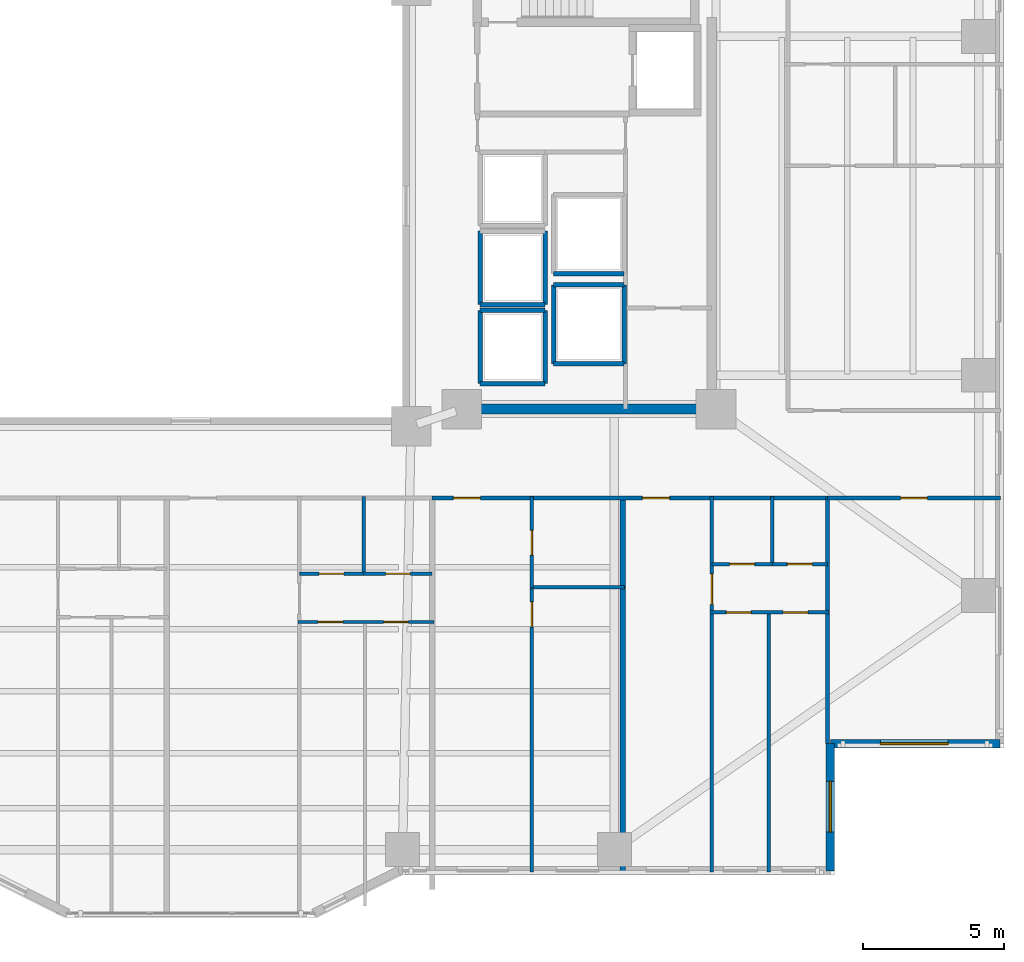
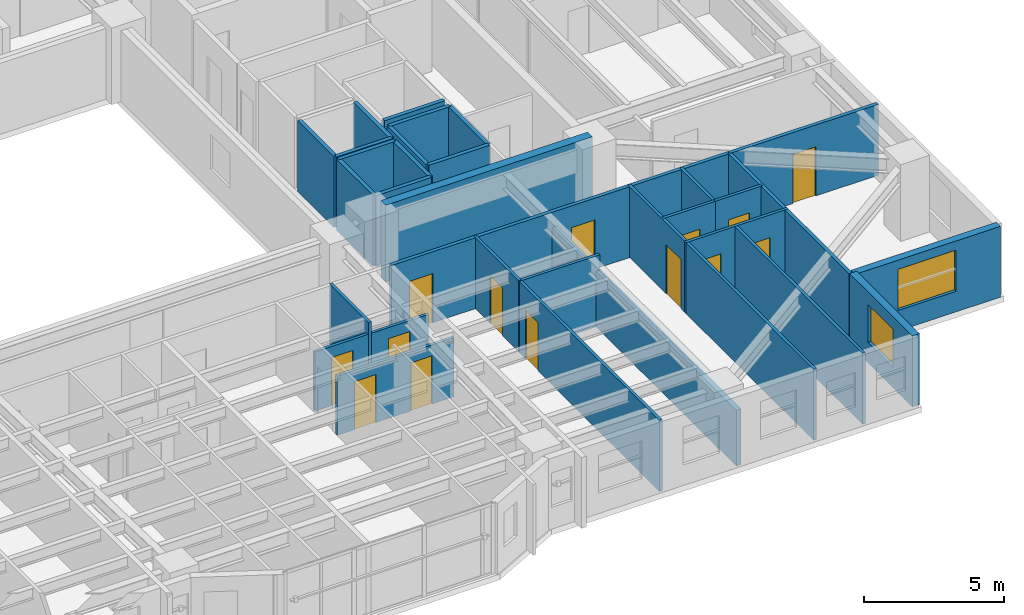
# One storey, part 12 of 21: 32 walls, 14 doors, 2 windows, 16 openings.
"""IFC4 building model written with IfcOpenShell, lengths in metres."""

from ifc_helpers import new_model, si_unit, direction, frame, frame_2d, origin, place, context, subcontext, project, spatial, rectangle, extrude, material, layer, layer_set, type_object, element, fill, save


model = new_model("IFC4")

# Units and contexts
model_context = context("Model", 3, precision=1e-05, world=origin(), true_north=direction((0.0, 1.0)))
body_context = subcontext(model_context, "Body", "Model", "MODEL_VIEW")
ifc_project = project(units=[si_unit("LENGTHUNIT", "METRE"), si_unit("AREAUNIT", "SQUARE_METRE"), si_unit("VOLUMEUNIT", "CUBIC_METRE"), si_unit("PLANEANGLEUNIT", "RADIAN"), si_unit("MASSUNIT", "GRAM", prefix="KILO")], contexts=[model_context])

# Site, building, storey
site_placement = place(None, origin())
site = spatial("IfcSite", under=ifc_project, at=site_placement, CompositionType="ELEMENT")
building_placement = place(site_placement, origin())
building = spatial("IfcBuilding", under=site, at=building_placement, Name="Tarnavaz Court Tower", CompositionType="ELEMENT")
storey_placement = place(building_placement, frame((0.0, 0.0, 47.449951171875)))
storey = spatial("IfcBuildingStorey", under=building, at=storey_placement, Name="L12", CompositionType="ELEMENT", Elevation=47.449951171875)

# Wall
ifc_material_1 = material(Name="Concrete C60/75", Category="concrete")
ifc_layer_1 = layer(ifc_material_1, 0.35009765625)
ifc_layer_set_1 = layer_set([ifc_layer_1], Name="Concrete C60/75")
wall_type_1 = type_object("IfcWallType", Name="WL-CORE-350-C60", PredefinedType="SHEAR", material=ifc_layer_set_1)
wall_1_placement = place(storey_placement, frame((10.074951171875, -7.199951171875, 0.0), z_axis=(0.0, 0.0, 1.0), x_axis=(1.0, 0.0, 0.0)))
element("IfcWall", 1, at=wall_1_placement, inside=storey, type_object=wall_type_1, Name="L12 East Core South Shear Wall 072", PredefinedType="SHEAR", context=body_context, shape_type="SweptSolid", body=[
    extrude(rectangle(XDim=8.550048828125, YDim=0.35009765625, at=frame_2d((4.27490234375, 0.0))), origin(), (0.0, 0.0, 1.0), 3.35009765625),
])

# Wall, opening, window
ifc_material_2 = material(Name="Precast Concrete C40/50", Category="concrete")
ifc_layer_2 = layer(ifc_material_2, 0.300048828125)
ifc_layer_set_2 = layer_set([ifc_layer_2], Name="Precast Concrete C40/50")
wall_type_2 = type_object("IfcWallType", Name="WL-EXT-300", PredefinedType="SOLIDWALL", material=ifc_layer_set_2)
wall_2_placement = place(storey_placement, frame((28.64990234375, -19.050048828125, 0.0), z_axis=(0.0, 0.0, 1.0), x_axis=(-1.0, 0.0, 0.0)))
wall_2 = element("IfcWall", 2, at=wall_2_placement, inside=storey, type_object=wall_type_2, Name="L12 Exterior Terracotta Facade Wall 13", PredefinedType="SOLIDWALL", context=body_context, shape_type="SweptSolid", body=[
    extrude(rectangle(XDim=6.0, YDim=0.300048828125, at=frame_2d((3.0, 0.0))), origin(), (0.0, 0.0, 1.0), 3.10009765625),
])
opening_1_placement = place(wall_2_placement, frame((1.824951171875, 0.0, 0.89990234375)))
opening_1 = element("IfcOpeningElement", 3, at=opening_1_placement, cuts=wall_2, Name="Opening W06", PredefinedType="OPENING", context=body_context, shape_type="SweptSolid", body=[
    extrude(rectangle(XDim=2.39990234375, YDim=1.800048828125, at=frame_2d((1.199951171875, 0.89990234375))), frame((0.0, 0.159912109375, 0.0), z_axis=(0.0, -1.0, 0.0), x_axis=(1.0, 0.0, 0.0)), (0.0, 0.0, 1.0), 0.320068359375),
])
ifc_material_3 = material(Name="Double-Glazed Solar Low-E Glass", Category="glass")
window_type_1 = type_object("IfcWindowType", Name="WN-APT-2400", PartitioningType="TRIPLE_PANEL_VERTICAL", PredefinedType="WINDOW", material=ifc_material_3)
window_1_placement = place(opening_1_placement, origin())
window_1 = element("IfcWindow", 4, at=window_1_placement, inside=storey, type_object=window_type_1, Name="L12 South-East Corner Reading Room Window", OverallHeight=1.800048828125, OverallWidth=2.39990234375, PartitioningType="SINGLE_PANEL", PredefinedType="WINDOW", context=body_context, shape_type="SweptSolid", body=[
    extrude(rectangle(XDim=2.39990234375, YDim=1.800048828125, at=frame_2d((1.199951171875, 0.89990234375))), frame((0.0, 0.030029296875, 0.0), z_axis=(0.0, -1.0, 0.0), x_axis=(1.0, 0.0, 0.0)), (0.0, 0.0, 1.0), 0.06005859375),
])
fill(opening_1, window_1)

wall_3_placement = place(storey_placement, frame((22.64990234375, -19.050048828125, 0.0), z_axis=(0.0, 0.0, 1.0), x_axis=(0.0, -1.0, 0.0)))
wall_3 = element("IfcWall", 5, at=wall_3_placement, inside=storey, type_object=wall_type_2, Name="L12 Exterior Terracotta Facade Wall 14", PredefinedType="SOLIDWALL", context=body_context, shape_type="SweptSolid", body=[
    extrude(rectangle(XDim=4.5, YDim=0.300048828125, at=frame_2d((2.25, 0.0))), origin(), (0.0, 0.0, 1.0), 3.10009765625),
])
opening_2_placement = place(wall_3_placement, frame((1.33251953125, 0.0, 0.89990234375)))
opening_2 = element("IfcOpeningElement", 6, at=opening_2_placement, cuts=wall_3, Name="Opening W01", PredefinedType="OPENING", context=body_context, shape_type="SweptSolid", body=[
    extrude(rectangle(XDim=1.800048828125, YDim=1.64990234375, at=frame_2d((0.89990234375, 0.824951171875))), frame((0.0, 0.159912109375, 0.0), z_axis=(0.0, -1.0, 0.0), x_axis=(1.0, 0.0, 0.0)), (0.0, 0.0, 1.0), 0.320068359375),
])
window_type_2 = type_object("IfcWindowType", Name="WN-APT-1800", PartitioningType="DOUBLE_PANEL_VERTICAL", PredefinedType="WINDOW", material=ifc_material_3)
window_2_placement = place(opening_2_placement, origin())
window_2 = element("IfcWindow", 7, at=window_2_placement, inside=storey, type_object=window_type_2, Name="L12 Flat 04 Bedroom 2 Window", OverallHeight=1.64990234375, OverallWidth=1.800048828125, PartitioningType="SINGLE_PANEL", PredefinedType="WINDOW", context=body_context, shape_type="SweptSolid", body=[
    extrude(rectangle(XDim=1.800048828125, YDim=1.64990234375, at=frame_2d((0.89990234375, 0.824951171875))), frame((0.0, 0.030029296875, 0.0), z_axis=(0.0, -1.0, 0.0), x_axis=(1.0, 0.0, 0.0)), (0.0, 0.0, 1.0), 0.06005859375),
])
fill(opening_2, window_2)

# Wall, openings, doors
ifc_material_4 = material(Name="Gypsum Fire-Board on Acoustic Metal Stud", Category="masonry")
ifc_layer_3 = layer(ifc_material_4, 0.14990234375)
ifc_layer_set_3 = layer_set([ifc_layer_3], Name="Gypsum Fire-Board on Acoustic Metal Stud")
wall_type_3 = type_object("IfcWallType", Name="WL-FIRE-150", PredefinedType="PARTITIONING", material=ifc_layer_set_3)
wall_4_placement = place(storey_placement, frame((8.550048828125, -10.35009765625, 0.0), z_axis=(0.0, 0.0, 1.0), x_axis=(1.0, 0.0, 0.0)))
wall_4 = element("IfcWall", 8, at=wall_4_placement, inside=storey, type_object=wall_type_3, Name="L12 SE Corridor Wall 086", PredefinedType="PARTITIONING", context=body_context, shape_type="SweptSolid", body=[
    extrude(rectangle(XDim=14.0, YDim=0.14990234375, at=frame_2d((7.0, 0.0))), origin(), (0.0, 0.0, 1.0), 3.10009765625),
])
opening_3_placement = place(wall_4_placement, frame((0.75, 0.0, 0.0)))
opening_3 = element("IfcOpeningElement", 9, at=opening_3_placement, cuts=wall_4, Name="Opening D06", PredefinedType="OPENING", context=body_context, shape_type="SweptSolid", body=[
    extrude(rectangle(XDim=0.9599609375, YDim=2.14990234375, at=frame_2d((0.47998046875, 1.074951171875))), frame((0.0, 0.0849609375, 0.0), z_axis=(0.0, -1.0, 0.0), x_axis=(1.0, 0.0, 0.0)), (0.0, 0.0, 1.0), 0.169921875),
])
opening_4_placement = place(wall_4_placement, frame((7.446044921875, 0.0, 0.0)))
opening_4 = element("IfcOpeningElement", 10, at=opening_4_placement, cuts=wall_4, Name="Opening D06", PredefinedType="OPENING", context=body_context, shape_type="SweptSolid", body=[
    extrude(rectangle(XDim=0.9599609375, YDim=2.14990234375, at=frame_2d((0.47998046875, 1.074951171875))), frame((0.0, 0.0849609375, 0.0), z_axis=(0.0, -1.0, 0.0), x_axis=(1.0, 0.0, 0.0)), (0.0, 0.0, 1.0), 0.169921875),
])
ifc_material_5 = material(Name="Fire-Rated Hardwood Timber Core", Category="wood")
door_type_1 = type_object("IfcDoorType", Name="DR-FD60-950", OperationType="NOTDEFINED", PredefinedType="DOOR", material=ifc_material_5)
door_1_placement = place(opening_3_placement, origin())
door_1 = element("IfcDoor", 11, at=door_1_placement, inside=storey, type_object=door_type_1, Name="L12 Flat 03 Entrance Door", OperationType="SINGLE_SWING_LEFT", OverallHeight=2.14990234375, OverallWidth=0.9599609375, PredefinedType="DOOR", context=body_context, shape_type="SweptSolid", body=[
    extrude(rectangle(XDim=0.9599609375, YDim=2.14990234375, at=frame_2d((0.47998046875, 1.074951171875))), frame((0.0, 0.02490234375, 0.0), z_axis=(0.0, -1.0, 0.0), x_axis=(1.0, 0.0, 0.0)), (0.0, 0.0, 1.0), 0.050048828125),
])
fill(opening_3, door_1)
door_2_placement = place(opening_4_placement, origin())
door_2 = element("IfcDoor", 12, at=door_2_placement, inside=storey, type_object=door_type_1, Name="L12 Flat 04 Entrance Door", OperationType="SINGLE_SWING_RIGHT", OverallHeight=2.14990234375, OverallWidth=0.9599609375, PredefinedType="DOOR", context=body_context, shape_type="SweptSolid", body=[
    extrude(rectangle(XDim=0.9599609375, YDim=2.14990234375, at=frame_2d((0.47998046875, 1.074951171875))), frame((0.0, 0.02490234375, 0.0), z_axis=(0.0, -1.0, 0.0), x_axis=(1.0, 0.0, 0.0)), (0.0, 0.0, 1.0), 0.050048828125),
])
fill(opening_4, door_2)

# Wall, opening, door
wall_5_placement = place(storey_placement, frame((22.550048828125, -10.35009765625, 0.0), z_axis=(0.0, 0.0, 1.0), x_axis=(1.0, 0.0, 0.0)))
wall_5 = element("IfcWall", 13, at=wall_5_placement, inside=storey, type_object=wall_type_3, Name="L12 Interior Partition 139", PredefinedType="PARTITIONING", context=body_context, shape_type="SweptSolid", body=[
    extrude(rectangle(XDim=6.1298828125, YDim=0.14990234375, at=frame_2d((3.06494140625, 0.0))), origin(), (0.0, 0.0, 1.0), 3.10009765625),
])
opening_5_placement = place(wall_5_placement, frame((2.590087890625, 0.0, 0.0)))
opening_5 = element("IfcOpeningElement", 14, at=opening_5_placement, cuts=wall_5, Name="Opening D13", PredefinedType="OPENING", context=body_context, shape_type="SweptSolid", body=[
    extrude(rectangle(XDim=0.949951171875, YDim=2.14990234375, at=frame_2d((0.47509765625, 1.074951171875))), frame((0.0, 0.0849609375, 0.0), z_axis=(0.0, -1.0, 0.0), x_axis=(1.0, 0.0, 0.0)), (0.0, 0.0, 1.0), 0.169921875),
])
ifc_material_6 = material(Name="Engineered Oak Timber", Category="wood")
door_type_2 = type_object("IfcDoorType", Name="DR-INT-950", OperationType="NOTDEFINED", PredefinedType="DOOR", material=ifc_material_6)
door_3_placement = place(opening_5_placement, origin())
door_3 = element("IfcDoor", 15, at=door_3_placement, inside=storey, type_object=door_type_2, Name="L12 SE Reading Room Door", OperationType="SINGLE_SWING_LEFT", OverallHeight=2.14990234375, OverallWidth=0.949951171875, PredefinedType="DOOR", context=body_context, shape_type="SweptSolid", body=[
    extrude(rectangle(XDim=0.949951171875, YDim=2.14990234375, at=frame_2d((0.47509765625, 1.074951171875))), frame((0.0, 0.02490234375, 0.0), z_axis=(0.0, -1.0, 0.0), x_axis=(1.0, 0.0, 0.0)), (0.0, 0.0, 1.0), 0.050048828125),
])
fill(opening_5, door_3)

# Wall
ifc_material_7 = material(Name="Autoclaved Aerated Concrete Blockwork", Category="masonry")
ifc_layer_4 = layer(ifc_material_7, 0.199951171875)
ifc_layer_set_4 = layer_set([ifc_layer_4], Name="Autoclaved Aerated Concrete Blockwork")
wall_type_4 = type_object("IfcWallType", Name="WL-FIRE-200", PredefinedType="SOLIDWALL", material=ifc_layer_set_4)
wall_6_placement = place(storey_placement, frame((15.2958984375, -23.60009765625, 0.0), z_axis=(0.0, 0.0, 1.0), x_axis=(0.0, 1.0, 0.0)))
element("IfcWall", 16, at=wall_6_placement, inside=storey, type_object=wall_type_4, Name="L12 Party Wall 103", PredefinedType="SOLIDWALL", context=body_context, shape_type="SweptSolid", body=[
    extrude(rectangle(XDim=13.25, YDim=0.199951171875, at=frame_2d((6.625, 0.0))), origin(), (0.0, 0.0, 1.0), 2.43505859375),
])

# Wall, opening, door
ifc_material_8 = material(Name="Moisture-Resistant Gypsum Board Partition", Category="masonry")
ifc_layer_5 = layer(ifc_material_8, 0.1201171875)
ifc_layer_set_5 = layer_set([ifc_layer_5], Name="Moisture-Resistant Gypsum Board Partition")
wall_type_5 = type_object("IfcWallType", Name="WL-PART-120", PredefinedType="PARTITIONING", material=ifc_layer_set_5)
wall_7_placement = place(storey_placement, frame((12.080078125, -23.60009765625, 0.0), z_axis=(0.0, 0.0, 1.0), x_axis=(0.0, 1.0, 0.0)))
wall_7 = element("IfcWall", 17, at=wall_7_placement, inside=storey, type_object=wall_type_5, Name="L12 Interior Partition 104", PredefinedType="PARTITIONING", context=body_context, shape_type="SweptSolid", body=[
    extrude(rectangle(XDim=10.090087890625, YDim=0.1201171875, at=frame_2d((5.044921875, 0.0))), origin(), (0.0, 0.0, 1.0), 3.10009765625),
])
opening_6_placement = place(wall_7_placement, frame((8.68994140625, 0.0, 0.0)))
opening_6 = element("IfcOpeningElement", 18, at=opening_6_placement, cuts=wall_7, Name="Opening D14", PredefinedType="OPENING", context=body_context, shape_type="SweptSolid", body=[
    extrude(rectangle(XDim=0.8798828125, YDim=2.10009765625, at=frame_2d((0.43994140625, 1.050048828125))), frame((0.0, 0.070068359375, 0.0), z_axis=(0.0, -1.0, 0.0), x_axis=(1.0, 0.0, 0.0)), (0.0, 0.0, 1.0), 0.14013671875),
])
door_type_3 = type_object("IfcDoorType", Name="DR-INT-900", OperationType="NOTDEFINED", PredefinedType="DOOR", material=ifc_material_6)
door_4_placement = place(opening_6_placement, origin())
door_4 = element("IfcDoor", 19, at=door_4_placement, inside=storey, type_object=door_type_3, Name="L12 Flat 03 Kitchen Door", OperationType="SINGLE_SWING_RIGHT", OverallHeight=2.10009765625, OverallWidth=0.8798828125, PredefinedType="DOOR", context=body_context, shape_type="SweptSolid", body=[
    extrude(rectangle(XDim=0.8798828125, YDim=2.10009765625, at=frame_2d((0.43994140625, 1.050048828125))), frame((0.0, 0.02490234375, 0.0), z_axis=(0.0, -1.0, 0.0), x_axis=(1.0, 0.0, 0.0)), (0.0, 0.0, 1.0), 0.050048828125),
])
fill(opening_6, door_4)

wall_8_placement = place(storey_placement, frame((12.080078125, -13.510009765625, 0.0), z_axis=(0.0, 0.0, 1.0), x_axis=(0.0, 1.0, 0.0)))
wall_8 = element("IfcWall", 20, at=wall_8_placement, inside=storey, type_object=wall_type_5, Name="L12 Interior Partition 105", PredefinedType="PARTITIONING", context=body_context, shape_type="SweptSolid", body=[
    extrude(rectangle(XDim=3.219970703125, YDim=0.1201171875, at=frame_2d((1.60986328125, 0.0))), origin(), (0.0, 0.0, 1.0), 3.10009765625),
])
opening_7_placement = place(wall_8_placement, frame((1.139892578125, 0.0, 0.0)))
opening_7 = element("IfcOpeningElement", 21, at=opening_7_placement, cuts=wall_8, Name="Opening D14", PredefinedType="OPENING", context=body_context, shape_type="SweptSolid", body=[
    extrude(rectangle(XDim=0.8798828125, YDim=2.10009765625, at=frame_2d((0.43994140625, 1.050048828125))), frame((0.0, 0.070068359375, 0.0), z_axis=(0.0, -1.0, 0.0), x_axis=(1.0, 0.0, 0.0)), (0.0, 0.0, 1.0), 0.14013671875),
])
door_5_placement = place(opening_7_placement, origin())
door_5 = element("IfcDoor", 22, at=door_5_placement, inside=storey, type_object=door_type_3, Name="L12 Flat 03 Bathroom Door", OperationType="SINGLE_SWING_LEFT", OverallHeight=2.10009765625, OverallWidth=0.8798828125, PredefinedType="DOOR", context=body_context, shape_type="SweptSolid", body=[
    extrude(rectangle(XDim=0.8798828125, YDim=2.10009765625, at=frame_2d((0.43994140625, 1.050048828125))), frame((0.0, 0.02490234375, 0.0), z_axis=(0.0, -1.0, 0.0), x_axis=(1.0, 0.0, 0.0)), (0.0, 0.0, 1.0), 0.050048828125),
])
fill(opening_7, door_5)

# Wall
wall_9_placement = place(storey_placement, frame((12.02001953125, -13.510009765625, 0.0), z_axis=(0.0, 0.0, 1.0), x_axis=(1.0, 0.0, 0.0)))
element("IfcWall", 23, at=wall_9_placement, inside=storey, type_object=wall_type_5, Name="L12 Interior Partition 106", PredefinedType="PARTITIONING", context=body_context, shape_type="SweptSolid", body=[
    extrude(rectangle(XDim=3.3359375, YDim=0.1201171875, at=frame_2d((1.66796875, 0.0))), origin(), (0.0, 0.0, 1.0), 3.10009765625),
])

# Wall, opening, door
wall_10_placement = place(storey_placement, frame((18.4560546875, -23.60009765625, 0.0), z_axis=(0.0, 0.0, 1.0), x_axis=(0.0, 1.0, 0.0)))
wall_10 = element("IfcWall", 24, at=wall_10_placement, inside=storey, type_object=wall_type_5, Name="L12 Interior Partition 107", PredefinedType="PARTITIONING", context=body_context, shape_type="SweptSolid", body=[
    extrude(rectangle(XDim=13.31005859375, YDim=0.1201171875, at=frame_2d((6.655029296875, 0.0))), origin(), (0.0, 0.0, 1.0), 3.10009765625),
])
opening_8_placement = place(wall_10_placement, frame((9.485107421875, 0.0, 0.0)))
opening_8 = element("IfcOpeningElement", 25, at=opening_8_placement, cuts=wall_10, Name="Opening D12", PredefinedType="OPENING", context=body_context, shape_type="SweptSolid", body=[
    extrude(rectangle(XDim=1.080078125, YDim=2.14990234375, at=frame_2d((0.5400390625, 1.074951171875))), frame((0.0, 0.070068359375, 0.0), z_axis=(0.0, -1.0, 0.0), x_axis=(1.0, 0.0, 0.0)), (0.0, 0.0, 1.0), 0.14013671875),
])
door_type_4 = type_object("IfcDoorType", Name="DR-INT-1100", OperationType="NOTDEFINED", PredefinedType="DOOR", material=ifc_material_6)
door_6_placement = place(opening_8_placement, origin())
door_6 = element("IfcDoor", 26, at=door_6_placement, inside=storey, type_object=door_type_4, Name="L12 Flat 04 Foyer Door", OperationType="SINGLE_SWING_LEFT", OverallHeight=2.14990234375, OverallWidth=1.080078125, PredefinedType="DOOR", context=body_context, shape_type="SweptSolid", body=[
    extrude(rectangle(XDim=1.080078125, YDim=2.14990234375, at=frame_2d((0.5400390625, 1.074951171875))), frame((0.0, 0.02490234375, 0.0), z_axis=(0.0, -1.0, 0.0), x_axis=(1.0, 0.0, 0.0)), (0.0, 0.0, 1.0), 0.050048828125),
])
fill(opening_8, door_6)

wall_11_placement = place(storey_placement, frame((18.4560546875, -12.68994140625, 0.0), z_axis=(0.0, 0.0, 1.0), x_axis=(1.0, 0.0, 0.0)))
wall_11 = element("IfcWall", 27, at=wall_11_placement, inside=storey, type_object=wall_type_5, Name="L12 Interior Partition 108", PredefinedType="PARTITIONING", context=body_context, shape_type="SweptSolid", body=[
    extrude(rectangle(XDim=2.137939453125, YDim=0.1201171875, at=frame_2d((1.06884765625, 0.0))), origin(), (0.0, 0.0, 1.0), 3.10009765625),
])
opening_9_placement = place(wall_11_placement, frame((0.62890625, 0.0, 0.0)))
opening_9 = element("IfcOpeningElement", 28, at=opening_9_placement, cuts=wall_11, Name="Opening D14", PredefinedType="OPENING", context=body_context, shape_type="SweptSolid", body=[
    extrude(rectangle(XDim=0.8798828125, YDim=2.10009765625, at=frame_2d((0.43994140625, 1.050048828125))), frame((0.0, 0.070068359375, 0.0), z_axis=(0.0, -1.0, 0.0), x_axis=(1.0, 0.0, 0.0)), (0.0, 0.0, 1.0), 0.14013671875),
])
door_7_placement = place(opening_9_placement, origin())
door_7 = element("IfcDoor", 29, at=door_7_placement, inside=storey, type_object=door_type_3, Name="L12 Flat 04 Kitchen Door", OperationType="SINGLE_SWING_RIGHT", OverallHeight=2.10009765625, OverallWidth=0.8798828125, PredefinedType="DOOR", context=body_context, shape_type="SweptSolid", body=[
    extrude(rectangle(XDim=0.8798828125, YDim=2.10009765625, at=frame_2d((0.43994140625, 1.050048828125))), frame((0.0, 0.02490234375, 0.0), z_axis=(0.0, -1.0, 0.0), x_axis=(1.0, 0.0, 0.0)), (0.0, 0.0, 1.0), 0.050048828125),
])
fill(opening_9, door_7)

wall_12_placement = place(storey_placement, frame((20.593994140625, -12.68994140625, 0.0), z_axis=(0.0, 0.0, 1.0), x_axis=(1.0, 0.0, 0.0)))
wall_12 = element("IfcWall", 30, at=wall_12_placement, inside=storey, type_object=wall_type_5, Name="L12 Interior Partition 109", PredefinedType="PARTITIONING", context=body_context, shape_type="SweptSolid", body=[
    extrude(rectangle(XDim=1.9560546875, YDim=0.1201171875, at=frame_2d((0.97802734375, 0.0))), origin(), (0.0, 0.0, 1.0), 3.10009765625),
])
opening_10_placement = place(wall_12_placement, frame((0.5380859375, 0.0, 0.0)))
opening_10 = element("IfcOpeningElement", 31, at=opening_10_placement, cuts=wall_12, Name="Opening D14", PredefinedType="OPENING", context=body_context, shape_type="SweptSolid", body=[
    extrude(rectangle(XDim=0.8798828125, YDim=2.10009765625, at=frame_2d((0.43994140625, 1.050048828125))), frame((0.0, 0.070068359375, 0.0), z_axis=(0.0, -1.0, 0.0), x_axis=(1.0, 0.0, 0.0)), (0.0, 0.0, 1.0), 0.14013671875),
])
door_8_placement = place(opening_10_placement, origin())
door_8 = element("IfcDoor", 32, at=door_8_placement, inside=storey, type_object=door_type_3, Name="L12 Flat 04 Bathroom Door", OperationType="SINGLE_SWING_LEFT", OverallHeight=2.10009765625, OverallWidth=0.8798828125, PredefinedType="DOOR", context=body_context, shape_type="SweptSolid", body=[
    extrude(rectangle(XDim=0.8798828125, YDim=2.10009765625, at=frame_2d((0.43994140625, 1.050048828125))), frame((0.0, 0.02490234375, 0.0), z_axis=(0.0, -1.0, 0.0), x_axis=(1.0, 0.0, 0.0)), (0.0, 0.0, 1.0), 0.050048828125),
])
fill(opening_10, door_8)

# Wall, openings, doors
wall_13_placement = place(storey_placement, frame((18.39599609375, -14.39990234375, 0.0), z_axis=(0.0, 0.0, 1.0), x_axis=(1.0, 0.0, 0.0)))
wall_13 = element("IfcWall", 33, at=wall_13_placement, inside=storey, type_object=wall_type_5, Name="L12 Interior Partition 110", PredefinedType="PARTITIONING", context=body_context, shape_type="SweptSolid", body=[
    extrude(rectangle(XDim=4.214111328125, YDim=0.1201171875, at=frame_2d((2.10693359375, 0.0))), origin(), (0.0, 0.0, 1.0), 3.10009765625),
])
opening_11_placement = place(wall_13_placement, frame((0.569091796875, 0.0, 0.0)))
opening_11 = element("IfcOpeningElement", 34, at=opening_11_placement, cuts=wall_13, Name="Opening D14", PredefinedType="OPENING", context=body_context, shape_type="SweptSolid", body=[
    extrude(rectangle(XDim=0.8798828125, YDim=2.10009765625, at=frame_2d((0.43994140625, 1.050048828125))), frame((0.0, 0.070068359375, 0.0), z_axis=(0.0, -1.0, 0.0), x_axis=(1.0, 0.0, 0.0)), (0.0, 0.0, 1.0), 0.14013671875),
])
opening_12_placement = place(wall_13_placement, frame((2.5859375, 0.0, 0.0)))
opening_12 = element("IfcOpeningElement", 35, at=opening_12_placement, cuts=wall_13, Name="Opening D14", PredefinedType="OPENING", context=body_context, shape_type="SweptSolid", body=[
    extrude(rectangle(XDim=0.8798828125, YDim=2.10009765625, at=frame_2d((0.43994140625, 1.050048828125))), frame((0.0, 0.070068359375, 0.0), z_axis=(0.0, -1.0, 0.0), x_axis=(1.0, 0.0, 0.0)), (0.0, 0.0, 1.0), 0.14013671875),
])
door_9_placement = place(opening_11_placement, origin())
door_9 = element("IfcDoor", 36, at=door_9_placement, inside=storey, type_object=door_type_3, Name="L12 Flat 04 Bedroom 1 Door", OperationType="SINGLE_SWING_RIGHT", OverallHeight=2.10009765625, OverallWidth=0.8798828125, PredefinedType="DOOR", context=body_context, shape_type="SweptSolid", body=[
    extrude(rectangle(XDim=0.8798828125, YDim=2.10009765625, at=frame_2d((0.43994140625, 1.050048828125))), frame((0.0, 0.02490234375, 0.0), z_axis=(0.0, -1.0, 0.0), x_axis=(1.0, 0.0, 0.0)), (0.0, 0.0, 1.0), 0.050048828125),
])
fill(opening_11, door_9)
door_10_placement = place(opening_12_placement, origin())
door_10 = element("IfcDoor", 37, at=door_10_placement, inside=storey, type_object=door_type_3, Name="L12 Flat 04 Bedroom 2 Door", OperationType="SINGLE_SWING_LEFT", OverallHeight=2.10009765625, OverallWidth=0.8798828125, PredefinedType="DOOR", context=body_context, shape_type="SweptSolid", body=[
    extrude(rectangle(XDim=0.8798828125, YDim=2.10009765625, at=frame_2d((0.43994140625, 1.050048828125))), frame((0.0, 0.02490234375, 0.0), z_axis=(0.0, -1.0, 0.0), x_axis=(1.0, 0.0, 0.0)), (0.0, 0.0, 1.0), 0.050048828125),
])
fill(opening_12, door_10)

# Walls
wall_14_placement = place(storey_placement, frame((20.593994140625, -12.75, 0.0), z_axis=(0.0, 0.0, 1.0), x_axis=(0.0, 1.0, 0.0)))
element("IfcWall", 38, at=wall_14_placement, inside=storey, type_object=wall_type_5, Name="L12 Interior Partition 111", PredefinedType="PARTITIONING", context=body_context, shape_type="SweptSolid", body=[
    extrude(rectangle(XDim=2.4599609375, YDim=0.1201171875, at=frame_2d((1.22998046875, 0.0))), origin(), (0.0, 0.0, 1.0), 3.10009765625),
])
wall_15_placement = place(storey_placement, frame((20.472900390625, -23.60009765625, 0.0), z_axis=(0.0, 0.0, 1.0), x_axis=(0.0, 1.0, 0.0)))
element("IfcWall", 39, at=wall_15_placement, inside=storey, type_object=wall_type_5, Name="L12 Interior Partition 112", PredefinedType="PARTITIONING", context=body_context, shape_type="SweptSolid", body=[
    extrude(rectangle(XDim=9.260009765625, YDim=0.1201171875, at=frame_2d((4.6298828125, 0.0))), origin(), (0.0, 0.0, 1.0), 3.10009765625),
])

# Wall, opening, door
wall_16_placement = place(storey_placement, frame((3.847900390625, -13.030029296875, 0.0), z_axis=(0.0, 0.0, 1.0), x_axis=(1.0, 0.0, 0.0)))
wall_16 = element("IfcWall", 40, at=wall_16_placement, inside=storey, type_object=wall_type_5, Name="L12 Interior Partition 123", PredefinedType="PARTITIONING", context=body_context, shape_type="SweptSolid", body=[
    extrude(rectangle(XDim=2.275146484375, YDim=0.1201171875, at=frame_2d((1.1376953125, 0.0))), origin(), (0.0, 0.0, 1.0), 2.5849609375),
])
opening_13_placement = place(wall_16_placement, frame((0.697998046875, 0.0, 0.0)))
opening_13 = element("IfcOpeningElement", 41, at=opening_13_placement, cuts=wall_16, Name="Opening D14", PredefinedType="OPENING", context=body_context, shape_type="SweptSolid", body=[
    extrude(rectangle(XDim=0.8798828125, YDim=2.10009765625, at=frame_2d((0.43994140625, 1.050048828125))), frame((0.0, 0.070068359375, 0.0), z_axis=(0.0, -1.0, 0.0), x_axis=(1.0, 0.0, 0.0)), (0.0, 0.0, 1.0), 0.14013671875),
])
door_11_placement = place(opening_13_placement, origin())
door_11 = element("IfcDoor", 42, at=door_11_placement, inside=storey, type_object=door_type_3, Name="L12 Flat 06 Kitchen Door", OperationType="SINGLE_SWING_RIGHT", OverallHeight=2.10009765625, OverallWidth=0.8798828125, PredefinedType="DOOR", context=body_context, shape_type="SweptSolid", body=[
    extrude(rectangle(XDim=0.8798828125, YDim=2.10009765625, at=frame_2d((0.43994140625, 1.050048828125))), frame((0.0, 0.02490234375, 0.0), z_axis=(0.0, -1.0, 0.0), x_axis=(1.0, 0.0, 0.0)), (0.0, 0.0, 1.0), 0.050048828125),
])
fill(opening_13, door_11)

wall_17_placement = place(storey_placement, frame((6.123046875, -13.030029296875, 0.0), z_axis=(0.0, 0.0, 1.0), x_axis=(1.0, 0.0, 0.0)))
wall_17 = element("IfcWall", 43, at=wall_17_placement, inside=storey, type_object=wall_type_5, Name="L12 Interior Partition 124", PredefinedType="PARTITIONING", context=body_context, shape_type="SweptSolid", body=[
    extrude(rectangle(XDim=2.427001953125, YDim=0.1201171875, at=frame_2d((1.21337890625, 0.0))), origin(), (0.0, 0.0, 1.0), 2.5849609375),
])
opening_14_placement = place(wall_17_placement, frame((0.77392578125, 0.0, 0.0)))
opening_14 = element("IfcOpeningElement", 44, at=opening_14_placement, cuts=wall_17, Name="Opening D14", PredefinedType="OPENING", context=body_context, shape_type="SweptSolid", body=[
    extrude(rectangle(XDim=0.8798828125, YDim=2.10009765625, at=frame_2d((0.43994140625, 1.050048828125))), frame((0.0, 0.070068359375, 0.0), z_axis=(0.0, -1.0, 0.0), x_axis=(1.0, 0.0, 0.0)), (0.0, 0.0, 1.0), 0.14013671875),
])
door_12_placement = place(opening_14_placement, origin())
door_12 = element("IfcDoor", 45, at=door_12_placement, inside=storey, type_object=door_type_3, Name="L12 Flat 06 Bathroom Door", OperationType="SINGLE_SWING_LEFT", OverallHeight=2.10009765625, OverallWidth=0.8798828125, PredefinedType="DOOR", context=body_context, shape_type="SweptSolid", body=[
    extrude(rectangle(XDim=0.8798828125, YDim=2.10009765625, at=frame_2d((0.43994140625, 1.050048828125))), frame((0.0, 0.02490234375, 0.0), z_axis=(0.0, -1.0, 0.0), x_axis=(1.0, 0.0, 0.0)), (0.0, 0.0, 1.0), 0.050048828125),
])
fill(opening_14, door_12)

# Wall, openings, doors
wall_18_placement = place(storey_placement, frame((3.7880859375, -14.739990234375, 0.0), z_axis=(0.0, 0.0, 1.0), x_axis=(1.0, 0.0, 0.0)))
wall_18 = element("IfcWall", 46, at=wall_18_placement, inside=storey, type_object=wall_type_5, Name="L12 Interior Partition 125", PredefinedType="PARTITIONING", context=body_context, shape_type="SweptSolid", body=[
    extrude(rectangle(XDim=4.822021484375, YDim=0.1201171875, at=frame_2d((2.4111328125, 0.0))), origin(), (0.0, 0.0, 1.0), 2.5849609375),
])
opening_15_placement = place(wall_18_placement, frame((0.720947265625, 0.0, 0.0)))
opening_15 = element("IfcOpeningElement", 47, at=opening_15_placement, cuts=wall_18, Name="Opening D14", PredefinedType="OPENING", context=body_context, shape_type="SweptSolid", body=[
    extrude(rectangle(XDim=0.8798828125, YDim=2.10009765625, at=frame_2d((0.43994140625, 1.050048828125))), frame((0.0, 0.070068359375, 0.0), z_axis=(0.0, -1.0, 0.0), x_axis=(1.0, 0.0, 0.0)), (0.0, 0.0, 1.0), 0.14013671875),
])
opening_16_placement = place(wall_18_placement, frame((3.0419921875, 0.0, 0.0)))
opening_16 = element("IfcOpeningElement", 48, at=opening_16_placement, cuts=wall_18, Name="Opening D14", PredefinedType="OPENING", context=body_context, shape_type="SweptSolid", body=[
    extrude(rectangle(XDim=0.8798828125, YDim=2.10009765625, at=frame_2d((0.43994140625, 1.050048828125))), frame((0.0, 0.070068359375, 0.0), z_axis=(0.0, -1.0, 0.0), x_axis=(1.0, 0.0, 0.0)), (0.0, 0.0, 1.0), 0.14013671875),
])
door_13_placement = place(opening_15_placement, origin())
door_13 = element("IfcDoor", 49, at=door_13_placement, inside=storey, type_object=door_type_3, Name="L12 Flat 06 Bedroom 1 Door", OperationType="SINGLE_SWING_RIGHT", OverallHeight=2.10009765625, OverallWidth=0.8798828125, PredefinedType="DOOR", context=body_context, shape_type="SweptSolid", body=[
    extrude(rectangle(XDim=0.8798828125, YDim=2.10009765625, at=frame_2d((0.43994140625, 1.050048828125))), frame((0.0, 0.02490234375, 0.0), z_axis=(0.0, -1.0, 0.0), x_axis=(1.0, 0.0, 0.0)), (0.0, 0.0, 1.0), 0.050048828125),
])
fill(opening_15, door_13)
door_14_placement = place(opening_16_placement, origin())
door_14 = element("IfcDoor", 50, at=door_14_placement, inside=storey, type_object=door_type_3, Name="L12 Flat 06 Bedroom 2 Door", OperationType="SINGLE_SWING_LEFT", OverallHeight=2.10009765625, OverallWidth=0.8798828125, PredefinedType="DOOR", context=body_context, shape_type="SweptSolid", body=[
    extrude(rectangle(XDim=0.8798828125, YDim=2.10009765625, at=frame_2d((0.43994140625, 1.050048828125))), frame((0.0, 0.02490234375, 0.0), z_axis=(0.0, -1.0, 0.0), x_axis=(1.0, 0.0, 0.0)), (0.0, 0.0, 1.0), 0.050048828125),
])
fill(opening_16, door_14)

# Walls
wall_19_placement = place(storey_placement, frame((6.123046875, -13.090087890625, 0.0), z_axis=(0.0, 0.0, 1.0), x_axis=(0.0, 1.0, 0.0)))
element("IfcWall", 51, at=wall_19_placement, inside=storey, type_object=wall_type_5, Name="L12 Interior Partition 126", PredefinedType="PARTITIONING", context=body_context, shape_type="SweptSolid", body=[
    extrude(rectangle(XDim=2.800048828125, YDim=0.1201171875, at=frame_2d((1.39990234375, 0.0))), origin(), (0.0, 0.0, 1.0), 3.10009765625),
])
ifc_material_9 = material(Name="Gypsum Plasterboard Acoustic Partition", Category="masonry")
ifc_layer_6 = layer(ifc_material_9, 0.139892578125)
ifc_layer_set_6 = layer_set([ifc_layer_6], Name="Gypsum Plasterboard Acoustic Partition")
wall_type_6 = type_object("IfcWallType", Name="WL-PART-150", PredefinedType="PARTITIONING", material=ifc_layer_set_6)
wall_20_placement = place(storey_placement, frame((22.550048828125, -19.050048828125, 0.0), z_axis=(0.0, 0.0, 1.0), x_axis=(0.0, 1.0, 0.0)))
element("IfcWall", 52, at=wall_20_placement, inside=storey, type_object=wall_type_6, Name="L12 Interior Partition 133", PredefinedType="PARTITIONING", context=body_context, shape_type="SweptSolid", body=[
    extrude(rectangle(XDim=8.699951171875, YDim=0.139892578125, at=frame_2d((4.35009765625, 0.0))), origin(), (0.0, 0.0, 1.0), 3.10009765625),
])
ifc_layer_7 = layer(ifc_material_7, 0.159912109375)
ifc_layer_set_7 = layer_set([ifc_layer_7], Name="Autoclaved Aerated Concrete Blockwork")
wall_type_7 = type_object("IfcWallType", Name="WL-SHAFT-150", PredefinedType="SOLIDWALL", material=ifc_layer_set_7)
for number, where, z_axis, x_axis, name in (
    (53, (10.25, -6.300048828125, 0.0), (0.0, 0.0, 1.0), (0.0, 1.0, 0.0), "L12 Lift PL-M1 Shaft Wall 049"),
    (54, (12.550048828125, -6.300048828125, 0.0), (0.0, 0.0, 1.0), (0.0, 1.0, 0.0), "L12 Lift PL-M1 Shaft Wall 050"),
):
    element("IfcWall", number, at=place(storey_placement, frame(where, z_axis=z_axis, x_axis=x_axis)), inside=storey, type_object=wall_type_7, Name=name, PredefinedType="SOLIDWALL", context=body_context, shape_type="SweptSolid", body=[
        extrude(rectangle(XDim=2.60009765625, YDim=0.159912109375, at=frame_2d((1.300048828125, 0.0))), origin(), (0.0, 0.0, 1.0), 3.10009765625),
    ])
for number, where, z_axis, x_axis, name in (
    (55, (10.25, -6.300048828125, 0.0), (0.0, 0.0, 1.0), (1.0, 0.0, 0.0), "L12 Lift PL-M1 Shaft Wall 051"),
    (56, (10.25, -3.699951171875, 0.0), (0.0, 0.0, 1.0), (1.0, 0.0, 0.0), "L12 Lift PL-M1 Shaft Wall 052"),
):
    element("IfcWall", number, at=place(storey_placement, frame(where, z_axis=z_axis, x_axis=x_axis)), inside=storey, type_object=wall_type_7, Name=name, PredefinedType="SOLIDWALL", context=body_context, shape_type="SweptSolid", body=[
        extrude(rectangle(XDim=2.300048828125, YDim=0.159912109375, at=frame_2d((1.14990234375, 0.0))), origin(), (0.0, 0.0, 1.0), 3.10009765625),
    ])
for number, where, z_axis, x_axis, name in (
    (57, (10.25, -3.5, 0.0), (0.0, 0.0, 1.0), (0.0, 1.0, 0.0), "L12 Lift PL-M2 Shaft Wall 053"),
    (58, (12.550048828125, -3.5, 0.0), (0.0, 0.0, 1.0), (0.0, 1.0, 0.0), "L12 Lift PL-M2 Shaft Wall 054"),
):
    element("IfcWall", number, at=place(storey_placement, frame(where, z_axis=z_axis, x_axis=x_axis)), inside=storey, type_object=wall_type_7, Name=name, PredefinedType="SOLIDWALL", context=body_context, shape_type="SweptSolid", body=[
        extrude(rectangle(XDim=2.60009765625, YDim=0.159912109375, at=frame_2d((1.300048828125, 0.0))), origin(), (0.0, 0.0, 1.0), 3.10009765625),
    ])
wall_21_placement = place(storey_placement, frame((10.25, -3.5, 0.0), z_axis=(0.0, 0.0, 1.0), x_axis=(1.0, 0.0, 0.0)))
element("IfcWall", 59, at=wall_21_placement, inside=storey, type_object=wall_type_7, Name="L12 Lift PL-M2 Shaft Wall 055", PredefinedType="SOLIDWALL", context=body_context, shape_type="SweptSolid", body=[
    extrude(rectangle(XDim=2.300048828125, YDim=0.159912109375, at=frame_2d((1.14990234375, 0.0))), origin(), (0.0, 0.0, 1.0), 3.10009765625),
])
for number, where, z_axis, x_axis, name in (
    (60, (12.85009765625, -5.60009765625, 0.0), (0.0, 0.0, 1.0), (0.0, 1.0, 0.0), "L12 Lift PL-OB1 Shaft Wall 061"),
    (61, (15.35009765625, -5.60009765625, 0.0), (0.0, 0.0, 1.0), (0.0, 1.0, 0.0), "L12 Lift PL-OB1 Shaft Wall 062"),
):
    element("IfcWall", number, at=place(storey_placement, frame(where, z_axis=z_axis, x_axis=x_axis)), inside=storey, type_object=wall_type_7, Name=name, PredefinedType="SOLIDWALL", context=body_context, shape_type="SweptSolid", body=[
        extrude(rectangle(XDim=2.800048828125, YDim=0.159912109375, at=frame_2d((1.39990234375, 0.0))), origin(), (0.0, 0.0, 1.0), 3.10009765625),
    ])
for number, where, z_axis, x_axis, name in (
    (62, (12.85009765625, -5.60009765625, 0.0), (0.0, 0.0, 1.0), (1.0, 0.0, 0.0), "L12 Lift PL-OB1 Shaft Wall 063"),
    (63, (12.85009765625, -2.800048828125, 0.0), (0.0, 0.0, 1.0), (1.0, 0.0, 0.0), "L12 Lift PL-OB1 Shaft Wall 064"),
    (64, (12.85009765625, -2.39990234375, 0.0), (0.0, 0.0, 1.0), (1.0, 0.0, 0.0), "L12 Lift PL-OB2 Shaft Wall 067"),
):
    element("IfcWall", number, at=place(storey_placement, frame(where, z_axis=z_axis, x_axis=x_axis)), inside=storey, type_object=wall_type_7, Name=name, PredefinedType="SOLIDWALL", context=body_context, shape_type="SweptSolid", body=[
        extrude(rectangle(XDim=2.5, YDim=0.159912109375, at=frame_2d((1.25, 0.0))), origin(), (0.0, 0.0, 1.0), 3.10009765625),
    ])

save(model, "model.ifc")
